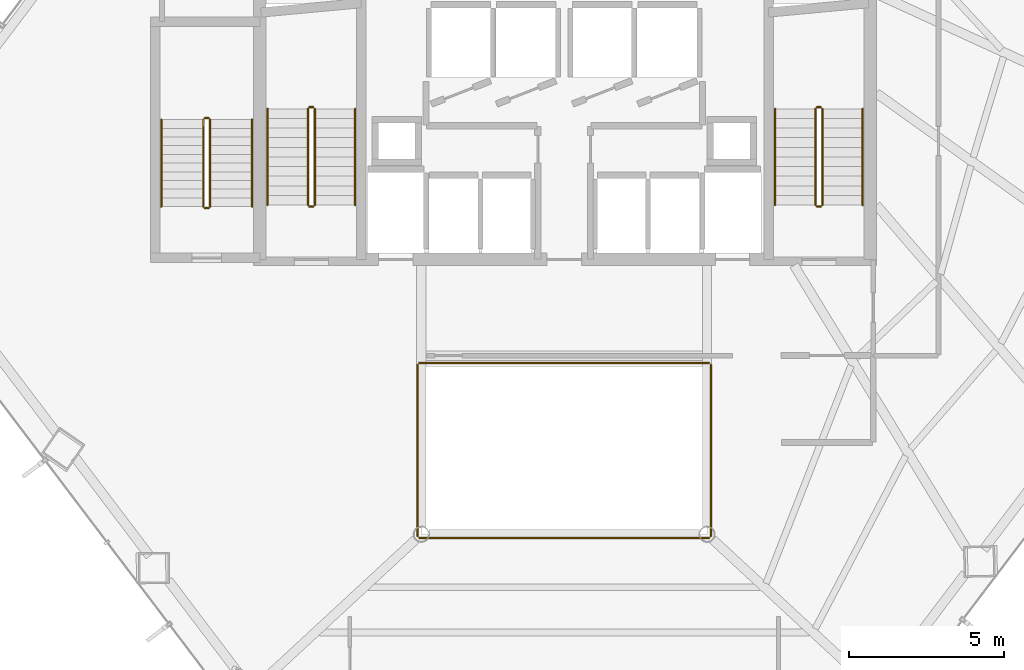
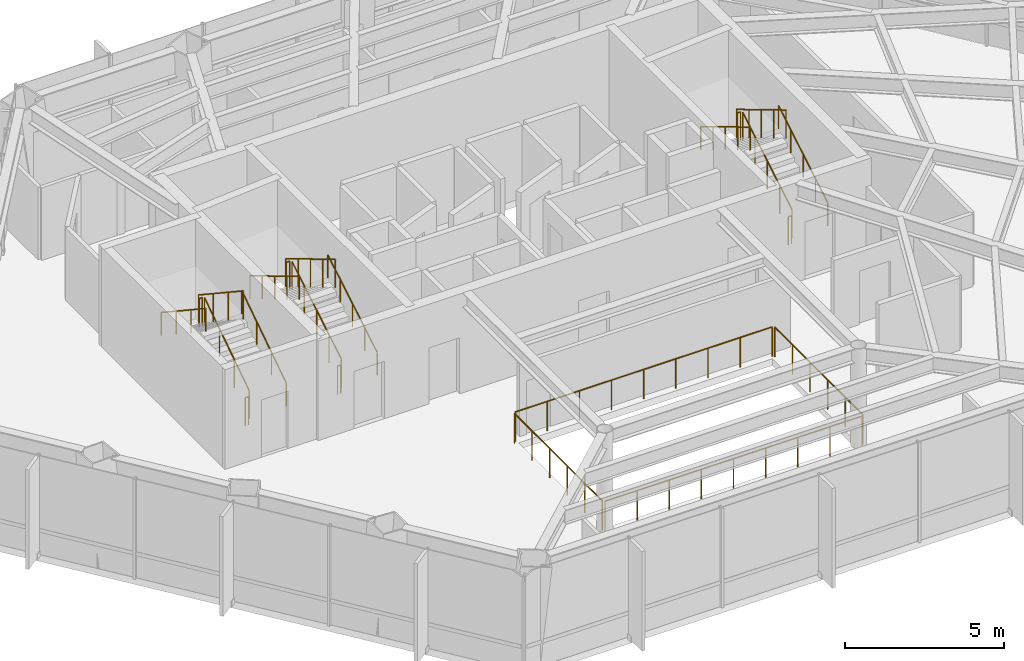
# One storey, part 26 of 26: 22 railings.
"""IFC4 building model written with IfcOpenShell, lengths in metres."""

import ifcopenshell
import ifcopenshell.guid

model = None  # the IFC model being written
_history = None  # IfcOwnerHistory: only IFC2X3 demands one
_inside = {}  # id of a spatial element -> (the spatial element, [elements in it])
_under = {}  # id of a project, library or spatial element -> (it, [spatial elements below it])
_declared = {}  # id of a project -> (the project, [libraries it declares])
_typed = {}  # id of a type object -> (the type object, [elements of that type])
_made_of = {}  # id of a material, layer set ... -> (it, [elements and type objects made of it])


def new_model(schema):
    """Start an empty IFC model of exactly this schema.

    Asked for "IFC4X3", IfcOpenShell would pick the latest addendum, in which some entities
    have other attributes; the version numbers below select the first issue.
    IFC2X3 requires an IfcOwnerHistory on every rooted entity: one is made here for all.
    """
    global model, _history
    if schema == "IFC4X3":
        model = ifcopenshell.file(schema_version=(4, 3, 0, 0))
    else:
        model = ifcopenshell.file(schema=schema)
    _inside.clear()
    _under.clear()
    _declared.clear()
    _typed.clear()
    _made_of.clear()
    _history = None
    if model.schema == "IFC2X3":
        org = make("IfcOrganization", Name="unknown")
        user = make(
            "IfcPersonAndOrganization",
            ThePerson=make("IfcPerson", FamilyName="unknown"),
            TheOrganization=org,
        )
        app = make(
            "IfcApplication",
            ApplicationDeveloper=org,
            Version="unknown",
            ApplicationFullName="unknown",
            ApplicationIdentifier="unknown",
        )
        _history = make(
            "IfcOwnerHistory",
            OwningUser=user,
            OwningApplication=app,
            ChangeAction="ADDED",
            CreationDate=0,
        )
    return model


def make(cls, **values):
    """One entity of the class cls with the attributes given. An attribute that is None is left unset."""
    return model.create_entity(
        cls, **{name: value for name, value in values.items() if value is not None}
    )


def rooted(cls, **values):
    """An entity with a GlobalId (a new one), such as an element, a storey or a relation."""
    return make(cls, GlobalId=ifcopenshell.guid.new(), OwnerHistory=_history, **values)


def si_unit(unit_type, name, prefix=None):
    """IfcSIUnit, for example si_unit("LENGTHUNIT", "METRE", prefix="MILLI")."""
    return make("IfcSIUnit", UnitType=unit_type, Prefix=prefix, Name=name)


def assignment(units):
    """IfcUnitAssignment: the units of a project."""
    return None if units is None else make("IfcUnitAssignment", Units=units)


def point(xyz):
    """IfcCartesianPoint."""
    return None if xyz is None else make("IfcCartesianPoint", Coordinates=xyz)


def direction(xyz):
    """IfcDirection."""
    return None if xyz is None else make("IfcDirection", DirectionRatios=xyz)


def frame(location, z_axis=None, x_axis=None):
    """IfcAxis2Placement3D, a coordinate frame: its origin and axes. An axis left out is left unset."""
    return make(
        "IfcAxis2Placement3D",
        Location=point(location),
        Axis=direction(z_axis),
        RefDirection=direction(x_axis),
    )


def frame_2d(location, x_axis=None):
    """IfcAxis2Placement2D, a coordinate frame in the plane: its origin and x axis."""
    return make(
        "IfcAxis2Placement2D", Location=point(location), RefDirection=direction(x_axis)
    )


def origin():
    """The frame at (0, 0, 0) with its axes left unset."""
    return frame((0.0, 0.0, 0.0))


def origin_2d():
    """The frame at (0, 0) in the plane with its x axis left unset."""
    return frame_2d((0.0, 0.0))


def place(relative_to, where):
    """IfcLocalPlacement: puts the frame where relative to a parent placement (None: the world)."""
    return make(
        "IfcLocalPlacement", PlacementRelTo=relative_to, RelativePlacement=where
    )


def context(
    kind, dimensions, precision=None, world=None, true_north=None, identifier=None
):
    """IfcGeometricRepresentationContext, for example the 3D "Model" context."""
    return make(
        "IfcGeometricRepresentationContext",
        ContextIdentifier=identifier,
        ContextType=kind,
        CoordinateSpaceDimension=dimensions,
        Precision=precision,
        WorldCoordinateSystem=world,
        TrueNorth=true_north,
    )


def subcontext(parent, identifier, kind, view, scale=None):
    """IfcGeometricRepresentationSubContext, for example "Body" below "Model"."""
    return make(
        "IfcGeometricRepresentationSubContext",
        ContextIdentifier=identifier,
        ContextType=kind,
        ParentContext=parent,
        TargetScale=scale,
        TargetView=view,
    )


def project(units=None, contexts=None):
    """IfcProject with its units and contexts."""
    return rooted(
        "IfcProject",
        Name="project",
        RepresentationContexts=contexts,
        UnitsInContext=assignment(units),
    )


def spatial(cls, under=None, at=None, **own):
    """A site, building, storey or space (cls), placed at a placement, below another one or the project."""
    s = rooted(cls, ObjectPlacement=at, **own)
    if under is not None:
        _under.setdefault(under.id(), (under, []))[1].append(s)
    return s


def profile(cls, at=None, kind="AREA", **sizes):
    """A parametric profile (cls). Its sizes go by their IFC names, for example OverallWidth=200.0."""
    return make(cls, ProfileType=kind, Position=at, **sizes)


def circle(**sizes):
    """IfcCircleProfileDef."""
    return profile("IfcCircleProfileDef", **sizes)


def extrude(swept, where, along, depth):
    """IfcExtrudedAreaSolid: the profile swept, set in the frame where, extruded along a direction by depth."""
    return make(
        "IfcExtrudedAreaSolid",
        SweptArea=swept,
        Position=where,
        ExtrudedDirection=direction(along),
        Depth=depth,
    )


def shape(context_of_items, identifier, shape_type, items):
    """IfcShapeRepresentation: the items that make up one representation, for example the "Body"."""
    return make(
        "IfcShapeRepresentation",
        ContextOfItems=context_of_items,
        RepresentationIdentifier=identifier,
        RepresentationType=shape_type,
        Items=items,
    )


def material(Name=None, Category=None):
    """IfcMaterial."""
    return make("IfcMaterial", Name=Name, Category=Category)


def made_of(thing, what):
    """Note that an element or type object is made of a material, layer set ...; save() writes the relation."""
    if what is not None:
        _made_of.setdefault(what.id(), (what, []))[1].append(thing)
    return thing


def type_object(cls, material=None, **own):
    """A type object (cls), such as IfcWallType, which elements share."""
    return made_of(rooted(cls, **own), material)


def element(
    cls,
    number,
    at=None,
    inside=None,
    cuts=None,
    type_object=None,
    material=None,
    context=None,
    identifier="Body",
    shape_type=None,
    held_by="IfcProductDefinitionShape",
    body=None,
    shapes=None,
    **own,
):
    """One element of the class cls, such as IfcWall. Its Tag is "e" and its number.

    at: its placement. inside: the storey or other place that contains it. cuts: it is an
    opening in that element (IfcRelVoidsElement). A single representation is given by context,
    identifier, shape_type and body (its items); several are given by shapes. held_by: the class
    of the entity that holds the representations. save() writes the other relations.
    """
    e = rooted(cls, Tag="e%d" % number, ObjectPlacement=at, **own)
    if body is not None:
        shapes = [shape(context, identifier, shape_type, body)]
    if shapes is not None:
        e.Representation = make(held_by, Representations=shapes)
    if inside is not None:
        _inside.setdefault(inside.id(), (inside, []))[1].append(e)
    if cuts is not None:
        rooted(
            "IfcRelVoidsElement", RelatingBuildingElement=cuts, RelatedOpeningElement=e
        )
    if type_object is not None:
        _typed.setdefault(type_object.id(), (type_object, []))[1].append(e)
    return made_of(e, material)


def aggregate(whole, parts):
    """IfcRelAggregates: a whole, such as a stair, and the parts it consists of."""
    return rooted("IfcRelAggregates", RelatingObject=whole, RelatedObjects=parts)


def save(model, path):
    """Write the relations noted so far, then the file.

    IfcRelAggregates (storeys below a building ...), IfcRelContainedInSpatialStructure (elements
    in a storey), IfcRelDefinesByType, IfcRelAssociatesMaterial and IfcRelDeclares: one each for
    every whole, place, type object, material and project.
    """
    for whole, parts in _under.values():
        aggregate(whole, parts)
    for where, things in _inside.values():
        rooted(
            "IfcRelContainedInSpatialStructure",
            RelatedElements=things,
            RelatingStructure=where,
        )
    for kind, things in _typed.values():
        rooted("IfcRelDefinesByType", RelatedObjects=things, RelatingType=kind)
    for what, things in _made_of.values():
        rooted("IfcRelAssociatesMaterial", RelatedObjects=things, RelatingMaterial=what)
    for by, libraries in _declared.values():
        rooted("IfcRelDeclares", RelatingContext=by, RelatedDefinitions=libraries)
    model.write(path)


model = new_model("IFC4")

# Units and contexts
model_context = context("Model", 3, precision=1e-05, world=origin(), true_north=direction((0.0, 1.0)))
body_context = subcontext(model_context, "Body", "Model", "MODEL_VIEW")
ifc_project = project(units=[si_unit("LENGTHUNIT", "METRE"), si_unit("AREAUNIT", "SQUARE_METRE"), si_unit("VOLUMEUNIT", "CUBIC_METRE"), si_unit("PLANEANGLEUNIT", "RADIAN"), si_unit("MASSUNIT", "GRAM", prefix="KILO")], contexts=[model_context])

# Site, building, storey
site_placement = place(None, origin())
site = spatial("IfcSite", under=ifc_project, at=site_placement, CompositionType="ELEMENT")
building_placement = place(site_placement, origin())
building = spatial("IfcBuilding", under=site, at=building_placement, Name="Zarrinselat Tower", CompositionType="ELEMENT")
storey_placement = place(building_placement, frame((0.0, 0.0, 60.179931640625)))
storey = spatial("IfcBuildingStorey", under=building, at=storey_placement, Name="L14", CompositionType="ELEMENT", Elevation=60.179931640625)

# Railings
ifc_material_1 = material(Name="Double Low-E Laminated Solar Glass", Category="glass")
railing_type_1 = type_object("IfcRailingType", Name="RLG-ATRIUM-BAL", PredefinedType="BALUSTRADE", material=ifc_material_1)
railing_1_placement = place(storey_placement, frame((33.739990234375, 24.280029296875, 0.0)))
element("IfcRailing", 1, at=railing_1_placement, inside=storey, type_object=railing_type_1, Name="L14 Atrium Void Glass Balustrade S", PredefinedType="BALUSTRADE", context=body_context, shape_type="SweptSolid", body=[
    extrude(circle(Radius=0.02392578125, at=origin_2d()), frame((0.0, 0.0, 1.1259765625), z_axis=(1.0, 0.0, 0.0), x_axis=(0.0, 1.0, 0.0)), (0.0, 0.0, 1.0), 9.320068359375),
    extrude(circle(Radius=0.02099609375, at=origin_2d()), origin(), (0.0, 0.0, 1.0), 1.099853515625),
    extrude(circle(Radius=0.02099609375, at=origin_2d()), frame((1.1650390625, 0.0, 0.0)), (0.0, 0.0, 1.0), 1.099853515625),
    extrude(circle(Radius=0.02099609375, at=origin_2d()), frame((2.330078125, 0.0, 0.0)), (0.0, 0.0, 1.0), 1.099853515625),
    extrude(circle(Radius=0.02099609375, at=origin_2d()), frame((3.4951171875, 0.0, 0.0)), (0.0, 0.0, 1.0), 1.099853515625),
    extrude(circle(Radius=0.02099609375, at=origin_2d()), frame((4.66015625, 0.0, 0.0)), (0.0, 0.0, 1.0), 1.099853515625),
    extrude(circle(Radius=0.02099609375, at=origin_2d()), frame((5.824951171875, 0.0, 0.0)), (0.0, 0.0, 1.0), 1.099853515625),
    extrude(circle(Radius=0.02099609375, at=origin_2d()), frame((6.989990234375, 0.0, 0.0)), (0.0, 0.0, 1.0), 1.099853515625),
    extrude(circle(Radius=0.02099609375, at=origin_2d()), frame((8.155029296875, 0.0, 0.0)), (0.0, 0.0, 1.0), 1.099853515625),
    extrude(circle(Radius=0.02099609375, at=origin_2d()), frame((9.320068359375, 0.0, 0.0)), (0.0, 0.0, 1.0), 1.099853515625),
])
railing_2_placement = place(storey_placement, frame((43.1201171875, 24.340087890625, 0.0)))
element("IfcRailing", 2, at=railing_2_placement, inside=storey, type_object=railing_type_1, Name="L14 Atrium Void Glass Balustrade E", PredefinedType="BALUSTRADE", context=body_context, shape_type="SweptSolid", body=[
    extrude(circle(Radius=0.02392578125, at=origin_2d()), frame((0.0, 0.0, 1.1259765625), z_axis=(0.0, 1.0, 0.0), x_axis=(-1.0, 0.0, 0.0)), (0.0, 0.0, 1.0), 5.52001953125),
    extrude(circle(Radius=0.02099609375, at=origin_2d()), origin(), (0.0, 0.0, 1.0), 1.099853515625),
    extrude(circle(Radius=0.02099609375, at=origin_2d()), frame((0.0, 1.10400390625, 0.0)), (0.0, 0.0, 1.0), 1.099853515625),
    extrude(circle(Radius=0.02099609375, at=origin_2d()), frame((0.0, 2.2080078125, 0.0)), (0.0, 0.0, 1.0), 1.099853515625),
    extrude(circle(Radius=0.02099609375, at=origin_2d()), frame((0.0, 3.31201171875, 0.0)), (0.0, 0.0, 1.0), 1.099853515625),
    extrude(circle(Radius=0.02099609375, at=origin_2d()), frame((0.0, 4.416015625, 0.0)), (0.0, 0.0, 1.0), 1.099853515625),
    extrude(circle(Radius=0.02099609375, at=origin_2d()), frame((0.0, 5.52001953125, 0.0)), (0.0, 0.0, 1.0), 1.099853515625),
])
railing_3_placement = place(storey_placement, frame((43.06005859375, 29.919921875, 0.0)))
element("IfcRailing", 3, at=railing_3_placement, inside=storey, type_object=railing_type_1, Name="L14 Atrium Void Glass Balustrade N", PredefinedType="BALUSTRADE", context=body_context, shape_type="SweptSolid", body=[
    extrude(circle(Radius=0.02392578125, at=origin_2d()), frame((0.0, 0.0, 1.1259765625), z_axis=(-1.0, 0.0, 0.0), x_axis=(0.0, -1.0, 0.0)), (0.0, 0.0, 1.0), 9.320068359375),
    extrude(circle(Radius=0.02099609375, at=origin_2d()), origin(), (0.0, 0.0, 1.0), 1.099853515625),
    extrude(circle(Radius=0.02099609375, at=origin_2d()), frame((-1.1650390625, 0.0, 0.0)), (0.0, 0.0, 1.0), 1.099853515625),
    extrude(circle(Radius=0.02099609375, at=origin_2d()), frame((-2.330078125, 0.0, 0.0)), (0.0, 0.0, 1.0), 1.099853515625),
    extrude(circle(Radius=0.02099609375, at=origin_2d()), frame((-3.4951171875, 0.0, 0.0)), (0.0, 0.0, 1.0), 1.099853515625),
    extrude(circle(Radius=0.02099609375, at=origin_2d()), frame((-4.66015625, 0.0, 0.0)), (0.0, 0.0, 1.0), 1.099853515625),
    extrude(circle(Radius=0.02099609375, at=origin_2d()), frame((-5.824951171875, 0.0, 0.0)), (0.0, 0.0, 1.0), 1.099853515625),
    extrude(circle(Radius=0.02099609375, at=origin_2d()), frame((-6.989990234375, 0.0, 0.0)), (0.0, 0.0, 1.0), 1.099853515625),
    extrude(circle(Radius=0.02099609375, at=origin_2d()), frame((-8.155029296875, 0.0, 0.0)), (0.0, 0.0, 1.0), 1.099853515625),
    extrude(circle(Radius=0.02099609375, at=origin_2d()), frame((-9.320068359375, 0.0, 0.0)), (0.0, 0.0, 1.0), 1.099853515625),
])
railing_4_placement = place(storey_placement, frame((33.679931640625, 29.860107421875, 0.0)))
element("IfcRailing", 4, at=railing_4_placement, inside=storey, type_object=railing_type_1, Name="L14 Atrium Void Glass Balustrade W", PredefinedType="BALUSTRADE", context=body_context, shape_type="SweptSolid", body=[
    extrude(circle(Radius=0.02392578125, at=origin_2d()), frame((0.0, 0.0, 1.1259765625), z_axis=(0.0, -1.0, 0.0), x_axis=(1.0, 0.0, 0.0)), (0.0, 0.0, 1.0), 5.52001953125),
    extrude(circle(Radius=0.02099609375, at=origin_2d()), origin(), (0.0, 0.0, 1.0), 1.099853515625),
    extrude(circle(Radius=0.02099609375, at=origin_2d()), frame((0.0, -1.10400390625, 0.0)), (0.0, 0.0, 1.0), 1.099853515625),
    extrude(circle(Radius=0.02099609375, at=origin_2d()), frame((0.0, -2.2080078125, 0.0)), (0.0, 0.0, 1.0), 1.099853515625),
    extrude(circle(Radius=0.02099609375, at=origin_2d()), frame((0.0, -3.31201171875, 0.0)), (0.0, 0.0, 1.0), 1.099853515625),
    extrude(circle(Radius=0.02099609375, at=origin_2d()), frame((0.0, -4.416015625, 0.0)), (0.0, 0.0, 1.0), 1.099853515625),
    extrude(circle(Radius=0.02099609375, at=origin_2d()), frame((0.0, -5.52001953125, 0.0)), (0.0, 0.0, 1.0), 1.099853515625),
])
ifc_material_2 = material(Name="Steel S355J2", Category="steel")
railing_type_2 = type_object("IfcRailingType", Name="RLG-STAIR-GUARD", PredefinedType="GUARDRAIL", material=ifc_material_2)
railing_5_placement = place(storey_placement, frame((30.3701171875, 35.0, 0.185546875)))
element("IfcRailing", 5, at=railing_5_placement, inside=storey, type_object=railing_type_2, Name="L14 ST-1 stair guard 1", PredefinedType="GUARDRAIL", context=body_context, shape_type="SweptSolid", body=[
    extrude(circle(Radius=0.02392578125, at=origin_2d()), frame((0.0, 0.0, 1.076171875), z_axis=(0.0, 0.858171985069, 0.513362293163), x_axis=(-1.0, 0.0, 0.0)), (0.0, 0.0, 1.0), 3.612548828125),
    extrude(circle(Radius=0.02099609375, at=origin_2d()), origin(), (0.0, 0.0, 1.0), 1.050048828125),
    extrude(circle(Radius=0.02099609375, at=origin_2d()), frame((0.0, 0.77490234375, 0.463623046875)), (0.0, 0.0, 1.0), 1.050048828125),
    extrude(circle(Radius=0.02099609375, at=origin_2d()), frame((0.0, 1.550048828125, 0.92724609375)), (0.0, 0.0, 1.0), 1.050048828125),
    extrude(circle(Radius=0.02099609375, at=origin_2d()), frame((0.0, 2.3251953125, 1.390869140625)), (0.0, 0.0, 1.0), 1.050048828125),
    extrude(circle(Radius=0.02099609375, at=origin_2d()), frame((0.0, 3.10009765625, 1.8544921875)), (0.0, 0.0, 1.0), 1.050048828125),
])
railing_6_placement = place(storey_placement, frame((30.320068359375, 38.14990234375, 2.0400390625)))
element("IfcRailing", 6, at=railing_6_placement, inside=storey, type_object=railing_type_2, Name="L14 ST-1 stair guard 2", PredefinedType="GUARDRAIL", context=body_context, shape_type="SweptSolid", body=[
    extrude(circle(Radius=0.02392578125, at=origin_2d()), frame((0.0, 0.0, 1.076171875), z_axis=(-1.0, 0.0, 0.0), x_axis=(0.0, -1.0, 0.0)), (0.0, 0.0, 1.0), 0.1201171875),
    extrude(circle(Radius=0.02099609375, at=origin_2d()), origin(), (0.0, 0.0, 1.0), 1.050048828125),
    extrude(circle(Radius=0.02099609375, at=origin_2d()), frame((-0.1201171875, 0.0, 0.0)), (0.0, 0.0, 1.0), 1.050048828125),
])
railing_7_placement = place(storey_placement, frame((30.14990234375, 38.10009765625, 2.2255859375)))
element("IfcRailing", 7, at=railing_7_placement, inside=storey, type_object=railing_type_2, Name="L14 ST-1 stair guard 3", PredefinedType="GUARDRAIL", context=body_context, shape_type="SweptSolid", body=[
    extrude(circle(Radius=0.02392578125, at=origin_2d()), frame((0.0, 0.0, 1.076171875), z_axis=(0.0, -0.858171985069, 0.513362293163), x_axis=(1.0, 0.0, 0.0)), (0.0, 0.0, 1.0), 3.612548828125),
    extrude(circle(Radius=0.02099609375, at=origin_2d()), origin(), (0.0, 0.0, 1.0), 1.050048828125),
    extrude(circle(Radius=0.02099609375, at=origin_2d()), frame((0.0, -0.77490234375, 0.463623046875)), (0.0, 0.0, 1.0), 1.050048828125),
    extrude(circle(Radius=0.02099609375, at=origin_2d()), frame((0.0, -1.550048828125, 0.92724609375)), (0.0, 0.0, 1.0), 1.050048828125),
    extrude(circle(Radius=0.02099609375, at=origin_2d()), frame((0.0, -2.3251953125, 1.390869140625)), (0.0, 0.0, 1.0), 1.050048828125),
    extrude(circle(Radius=0.02099609375, at=origin_2d()), frame((0.0, -3.10009765625, 1.8544921875)), (0.0, 0.0, 1.0), 1.050048828125),
])
railing_8_placement = place(storey_placement, frame((30.320068359375, 34.949951171875, 0.0)))
element("IfcRailing", 8, at=railing_8_placement, inside=storey, type_object=railing_type_2, Name="L14 ST-1 stair guard 4", PredefinedType="GUARDRAIL", context=body_context, shape_type="SweptSolid", body=[
    extrude(circle(Radius=0.02392578125, at=origin_2d()), frame((0.0, 0.0, 1.076171875), z_axis=(-1.0, 0.0, 0.0), x_axis=(0.0, -1.0, 0.0)), (0.0, 0.0, 1.0), 0.1201171875),
    extrude(circle(Radius=0.02099609375, at=origin_2d()), origin(), (0.0, 0.0, 1.0), 1.050048828125),
    extrude(circle(Radius=0.02099609375, at=origin_2d()), frame((-0.1201171875, 0.0, 0.0)), (0.0, 0.0, 1.0), 1.050048828125),
])
railing_9_placement = place(storey_placement, frame((46.7099609375, 35.0, 0.185546875)))
element("IfcRailing", 9, at=railing_9_placement, inside=storey, type_object=railing_type_2, Name="L14 ST-2 stair guard 1", PredefinedType="GUARDRAIL", context=body_context, shape_type="SweptSolid", body=[
    extrude(circle(Radius=0.02392578125, at=origin_2d()), frame((0.0, 0.0, 1.076171875), z_axis=(0.0, 0.858171985069, 0.513362293163), x_axis=(-1.0, 0.0, 0.0)), (0.0, 0.0, 1.0), 3.612548828125),
    extrude(circle(Radius=0.02099609375, at=origin_2d()), origin(), (0.0, 0.0, 1.0), 1.050048828125),
    extrude(circle(Radius=0.02099609375, at=origin_2d()), frame((0.0, 0.77490234375, 0.463623046875)), (0.0, 0.0, 1.0), 1.050048828125),
    extrude(circle(Radius=0.02099609375, at=origin_2d()), frame((0.0, 1.550048828125, 0.92724609375)), (0.0, 0.0, 1.0), 1.050048828125),
    extrude(circle(Radius=0.02099609375, at=origin_2d()), frame((0.0, 2.3251953125, 1.390869140625)), (0.0, 0.0, 1.0), 1.050048828125),
    extrude(circle(Radius=0.02099609375, at=origin_2d()), frame((0.0, 3.10009765625, 1.8544921875)), (0.0, 0.0, 1.0), 1.050048828125),
])
railing_10_placement = place(storey_placement, frame((46.659912109375, 38.14990234375, 2.0400390625)))
element("IfcRailing", 10, at=railing_10_placement, inside=storey, type_object=railing_type_2, Name="L14 ST-2 stair guard 2", PredefinedType="GUARDRAIL", context=body_context, shape_type="SweptSolid", body=[
    extrude(circle(Radius=0.02392578125, at=origin_2d()), frame((0.0, 0.0, 1.076171875), z_axis=(-1.0, 0.0, 0.0), x_axis=(0.0, -1.0, 0.0)), (0.0, 0.0, 1.0), 0.119873046875),
    extrude(circle(Radius=0.02099609375, at=origin_2d()), origin(), (0.0, 0.0, 1.0), 1.050048828125),
    extrude(circle(Radius=0.02099609375, at=origin_2d()), frame((-0.119873046875, 0.0, 0.0)), (0.0, 0.0, 1.0), 1.050048828125),
])
railing_11_placement = place(storey_placement, frame((46.489990234375, 38.10009765625, 2.2255859375)))
element("IfcRailing", 11, at=railing_11_placement, inside=storey, type_object=railing_type_2, Name="L14 ST-2 stair guard 3", PredefinedType="GUARDRAIL", context=body_context, shape_type="SweptSolid", body=[
    extrude(circle(Radius=0.02392578125, at=origin_2d()), frame((0.0, 0.0, 1.076171875), z_axis=(0.0, -0.858171985069, 0.513362293163), x_axis=(1.0, 0.0, 0.0)), (0.0, 0.0, 1.0), 3.612548828125),
    extrude(circle(Radius=0.02099609375, at=origin_2d()), origin(), (0.0, 0.0, 1.0), 1.050048828125),
    extrude(circle(Radius=0.02099609375, at=origin_2d()), frame((0.0, -0.77490234375, 0.463623046875)), (0.0, 0.0, 1.0), 1.050048828125),
    extrude(circle(Radius=0.02099609375, at=origin_2d()), frame((0.0, -1.550048828125, 0.92724609375)), (0.0, 0.0, 1.0), 1.050048828125),
    extrude(circle(Radius=0.02099609375, at=origin_2d()), frame((0.0, -2.3251953125, 1.390869140625)), (0.0, 0.0, 1.0), 1.050048828125),
    extrude(circle(Radius=0.02099609375, at=origin_2d()), frame((0.0, -3.10009765625, 1.8544921875)), (0.0, 0.0, 1.0), 1.050048828125),
])
railing_12_placement = place(storey_placement, frame((46.659912109375, 34.949951171875, 0.0)))
element("IfcRailing", 12, at=railing_12_placement, inside=storey, type_object=railing_type_2, Name="L14 ST-2 stair guard 4", PredefinedType="GUARDRAIL", context=body_context, shape_type="SweptSolid", body=[
    extrude(circle(Radius=0.02392578125, at=origin_2d()), frame((0.0, 0.0, 1.076171875), z_axis=(-1.0, 0.0, 0.0), x_axis=(0.0, -1.0, 0.0)), (0.0, 0.0, 1.0), 0.119873046875),
    extrude(circle(Radius=0.02099609375, at=origin_2d()), origin(), (0.0, 0.0, 1.0), 1.050048828125),
    extrude(circle(Radius=0.02099609375, at=origin_2d()), frame((-0.119873046875, 0.0, 0.0)), (0.0, 0.0, 1.0), 1.050048828125),
])
railing_13_placement = place(storey_placement, frame((27.0, 34.949951171875, 0.185546875)))
element("IfcRailing", 13, at=railing_13_placement, inside=storey, type_object=railing_type_2, Name="L14 ST-3 stair guard 1", PredefinedType="GUARDRAIL", context=body_context, shape_type="SweptSolid", body=[
    extrude(circle(Radius=0.02392578125, at=origin_2d()), frame((0.0, 0.0, 1.076171875), z_axis=(0.0, 0.833724036255, 0.552181339209), x_axis=(-1.0, 0.0, 0.0)), (0.0, 0.0, 1.0), 3.3583984375),
    extrude(circle(Radius=0.02099609375, at=origin_2d()), origin(), (0.0, 0.0, 1.0), 1.050048828125),
    extrude(circle(Radius=0.02099609375, at=origin_2d()), frame((0.0, 0.933349609375, 0.6181640625)), (0.0, 0.0, 1.0), 1.050048828125),
    extrude(circle(Radius=0.02099609375, at=origin_2d()), frame((0.0, 1.86669921875, 1.236328125)), (0.0, 0.0, 1.0), 1.050048828125),
    extrude(circle(Radius=0.02099609375, at=origin_2d()), frame((0.0, 2.800048828125, 1.8544921875)), (0.0, 0.0, 1.0), 1.050048828125),
])
railing_14_placement = place(storey_placement, frame((26.949951171875, 37.800048828125, 2.0400390625)))
element("IfcRailing", 14, at=railing_14_placement, inside=storey, type_object=railing_type_2, Name="L14 ST-3 stair guard 2", PredefinedType="GUARDRAIL", context=body_context, shape_type="SweptSolid", body=[
    extrude(circle(Radius=0.02392578125, at=origin_2d()), frame((0.0, 0.0, 1.076171875), z_axis=(-1.0, 0.0, 0.0), x_axis=(0.0, -1.0, 0.0)), (0.0, 0.0, 1.0), 0.119873046875),
    extrude(circle(Radius=0.02099609375, at=origin_2d()), origin(), (0.0, 0.0, 1.0), 1.050048828125),
    extrude(circle(Radius=0.02099609375, at=origin_2d()), frame((-0.119873046875, 0.0, 0.0)), (0.0, 0.0, 1.0), 1.050048828125),
])
railing_15_placement = place(storey_placement, frame((26.780029296875, 37.75, 2.2255859375)))
element("IfcRailing", 15, at=railing_15_placement, inside=storey, type_object=railing_type_2, Name="L14 ST-3 stair guard 3", PredefinedType="GUARDRAIL", context=body_context, shape_type="SweptSolid", body=[
    extrude(circle(Radius=0.02392578125, at=origin_2d()), frame((0.0, 0.0, 1.076171875), z_axis=(0.0, -0.833724036255, 0.552181339209), x_axis=(1.0, 0.0, 0.0)), (0.0, 0.0, 1.0), 3.3583984375),
    extrude(circle(Radius=0.02099609375, at=origin_2d()), origin(), (0.0, 0.0, 1.0), 1.050048828125),
    extrude(circle(Radius=0.02099609375, at=origin_2d()), frame((0.0, -0.933349609375, 0.6181640625)), (0.0, 0.0, 1.0), 1.050048828125),
    extrude(circle(Radius=0.02099609375, at=origin_2d()), frame((0.0, -1.86669921875, 1.236328125)), (0.0, 0.0, 1.0), 1.050048828125),
    extrude(circle(Radius=0.02099609375, at=origin_2d()), frame((0.0, -2.800048828125, 1.8544921875)), (0.0, 0.0, 1.0), 1.050048828125),
])
railing_16_placement = place(storey_placement, frame((26.949951171875, 34.89990234375, 0.0)))
element("IfcRailing", 16, at=railing_16_placement, inside=storey, type_object=railing_type_2, Name="L14 ST-3 stair guard 4", PredefinedType="GUARDRAIL", context=body_context, shape_type="SweptSolid", body=[
    extrude(circle(Radius=0.02392578125, at=origin_2d()), frame((0.0, 0.0, 1.076171875), z_axis=(-1.0, 0.0, 0.0), x_axis=(0.0, -1.0, 0.0)), (0.0, 0.0, 1.0), 0.119873046875),
    extrude(circle(Radius=0.02099609375, at=origin_2d()), origin(), (0.0, 0.0, 1.0), 1.050048828125),
    extrude(circle(Radius=0.02099609375, at=origin_2d()), frame((-0.119873046875, 0.0, 0.0)), (0.0, 0.0, 1.0), 1.050048828125),
])
ifc_material_3 = material(Name="Steel S355J2", Category="steel")
railing_type_3 = type_object("IfcRailingType", Name="RLG-STAIR-HAND", PredefinedType="HANDRAIL", material=ifc_material_3)
railing_17_placement = place(storey_placement, frame((31.669921875, 35.0, 0.185546875)))
element("IfcRailing", 17, at=railing_17_placement, inside=storey, type_object=railing_type_3, Name="L14 ST-1 stair handrail 1", PredefinedType="HANDRAIL", context=body_context, shape_type="SweptSolid", body=[
    extrude(circle(Radius=0.02392578125, at=origin_2d()), frame((0.0, 0.0, 0.8759765625), z_axis=(0.0, 0.858171985069, 0.513362293163), x_axis=(-1.0, 0.0, 0.0)), (0.0, 0.0, 1.0), 3.612548828125),
    extrude(circle(Radius=0.02099609375, at=origin_2d()), origin(), (0.0, 0.0, 1.0), 0.849853515625),
    extrude(circle(Radius=0.02099609375, at=origin_2d()), frame((0.0, 0.77490234375, 0.463623046875)), (0.0, 0.0, 1.0), 0.849853515625),
    extrude(circle(Radius=0.02099609375, at=origin_2d()), frame((0.0, 1.550048828125, 0.92724609375)), (0.0, 0.0, 1.0), 0.849853515625),
    extrude(circle(Radius=0.02099609375, at=origin_2d()), frame((0.0, 2.3251953125, 1.390869140625)), (0.0, 0.0, 1.0), 0.849853515625),
    extrude(circle(Radius=0.02099609375, at=origin_2d()), frame((0.0, 3.10009765625, 1.8544921875)), (0.0, 0.0, 1.0), 0.849853515625),
])
railing_18_placement = place(storey_placement, frame((28.85009765625, 38.10009765625, 2.2255859375)))
element("IfcRailing", 18, at=railing_18_placement, inside=storey, type_object=railing_type_3, Name="L14 ST-1 stair handrail 2", PredefinedType="HANDRAIL", context=body_context, shape_type="SweptSolid", body=[
    extrude(circle(Radius=0.02392578125, at=origin_2d()), frame((0.0, 0.0, 0.8759765625), z_axis=(0.0, -0.858171985069, 0.513362293163), x_axis=(1.0, 0.0, 0.0)), (0.0, 0.0, 1.0), 3.612548828125),
    extrude(circle(Radius=0.02099609375, at=origin_2d()), origin(), (0.0, 0.0, 1.0), 0.849853515625),
    extrude(circle(Radius=0.02099609375, at=origin_2d()), frame((0.0, -0.77490234375, 0.463623046875)), (0.0, 0.0, 1.0), 0.849853515625),
    extrude(circle(Radius=0.02099609375, at=origin_2d()), frame((0.0, -1.550048828125, 0.92724609375)), (0.0, 0.0, 1.0), 0.849853515625),
    extrude(circle(Radius=0.02099609375, at=origin_2d()), frame((0.0, -2.3251953125, 1.390869140625)), (0.0, 0.0, 1.0), 0.849853515625),
    extrude(circle(Radius=0.02099609375, at=origin_2d()), frame((0.0, -3.10009765625, 1.8544921875)), (0.0, 0.0, 1.0), 0.849853515625),
])
railing_19_placement = place(storey_placement, frame((48.010009765625, 35.0, 0.185546875)))
element("IfcRailing", 19, at=railing_19_placement, inside=storey, type_object=railing_type_3, Name="L14 ST-2 stair handrail 1", PredefinedType="HANDRAIL", context=body_context, shape_type="SweptSolid", body=[
    extrude(circle(Radius=0.02392578125, at=origin_2d()), frame((0.0, 0.0, 0.8759765625), z_axis=(0.0, 0.858171985069, 0.513362293163), x_axis=(-1.0, 0.0, 0.0)), (0.0, 0.0, 1.0), 3.612548828125),
    extrude(circle(Radius=0.02099609375, at=origin_2d()), origin(), (0.0, 0.0, 1.0), 0.849853515625),
    extrude(circle(Radius=0.02099609375, at=origin_2d()), frame((0.0, 0.77490234375, 0.463623046875)), (0.0, 0.0, 1.0), 0.849853515625),
    extrude(circle(Radius=0.02099609375, at=origin_2d()), frame((0.0, 1.550048828125, 0.92724609375)), (0.0, 0.0, 1.0), 0.849853515625),
    extrude(circle(Radius=0.02099609375, at=origin_2d()), frame((0.0, 2.3251953125, 1.390869140625)), (0.0, 0.0, 1.0), 0.849853515625),
    extrude(circle(Radius=0.02099609375, at=origin_2d()), frame((0.0, 3.10009765625, 1.8544921875)), (0.0, 0.0, 1.0), 0.849853515625),
])
railing_20_placement = place(storey_placement, frame((45.18994140625, 38.10009765625, 2.2255859375)))
element("IfcRailing", 20, at=railing_20_placement, inside=storey, type_object=railing_type_3, Name="L14 ST-2 stair handrail 2", PredefinedType="HANDRAIL", context=body_context, shape_type="SweptSolid", body=[
    extrude(circle(Radius=0.02392578125, at=origin_2d()), frame((0.0, 0.0, 0.8759765625), z_axis=(0.0, -0.858171985069, 0.513362293163), x_axis=(1.0, 0.0, 0.0)), (0.0, 0.0, 1.0), 3.612548828125),
    extrude(circle(Radius=0.02099609375, at=origin_2d()), origin(), (0.0, 0.0, 1.0), 0.849853515625),
    extrude(circle(Radius=0.02099609375, at=origin_2d()), frame((0.0, -0.77490234375, 0.463623046875)), (0.0, 0.0, 1.0), 0.849853515625),
    extrude(circle(Radius=0.02099609375, at=origin_2d()), frame((0.0, -1.550048828125, 0.92724609375)), (0.0, 0.0, 1.0), 0.849853515625),
    extrude(circle(Radius=0.02099609375, at=origin_2d()), frame((0.0, -2.3251953125, 1.390869140625)), (0.0, 0.0, 1.0), 0.849853515625),
    extrude(circle(Radius=0.02099609375, at=origin_2d()), frame((0.0, -3.10009765625, 1.8544921875)), (0.0, 0.0, 1.0), 0.849853515625),
])
railing_21_placement = place(storey_placement, frame((28.35009765625, 34.949951171875, 0.185546875)))
element("IfcRailing", 21, at=railing_21_placement, inside=storey, type_object=railing_type_3, Name="L14 ST-3 stair handrail 1", PredefinedType="HANDRAIL", context=body_context, shape_type="SweptSolid", body=[
    extrude(circle(Radius=0.02392578125, at=origin_2d()), frame((0.0, 0.0, 0.8759765625), z_axis=(0.0, 0.833724036255, 0.552181339209), x_axis=(-1.0, 0.0, 0.0)), (0.0, 0.0, 1.0), 3.3583984375),
    extrude(circle(Radius=0.02099609375, at=origin_2d()), origin(), (0.0, 0.0, 1.0), 0.849853515625),
    extrude(circle(Radius=0.02099609375, at=origin_2d()), frame((0.0, 0.933349609375, 0.6181640625)), (0.0, 0.0, 1.0), 0.849853515625),
    extrude(circle(Radius=0.02099609375, at=origin_2d()), frame((0.0, 1.86669921875, 1.236328125)), (0.0, 0.0, 1.0), 0.849853515625),
    extrude(circle(Radius=0.02099609375, at=origin_2d()), frame((0.0, 2.800048828125, 1.8544921875)), (0.0, 0.0, 1.0), 0.849853515625),
])
railing_22_placement = place(storey_placement, frame((25.429931640625, 37.75, 2.2255859375)))
element("IfcRailing", 22, at=railing_22_placement, inside=storey, type_object=railing_type_3, Name="L14 ST-3 stair handrail 2", PredefinedType="HANDRAIL", context=body_context, shape_type="SweptSolid", body=[
    extrude(circle(Radius=0.02392578125, at=origin_2d()), frame((0.0, 0.0, 0.8759765625), z_axis=(0.0, -0.833724036255, 0.552181339209), x_axis=(1.0, 0.0, 0.0)), (0.0, 0.0, 1.0), 3.3583984375),
    extrude(circle(Radius=0.02099609375, at=origin_2d()), origin(), (0.0, 0.0, 1.0), 0.849853515625),
    extrude(circle(Radius=0.02099609375, at=origin_2d()), frame((0.0, -0.933349609375, 0.6181640625)), (0.0, 0.0, 1.0), 0.849853515625),
    extrude(circle(Radius=0.02099609375, at=origin_2d()), frame((0.0, -1.86669921875, 1.236328125)), (0.0, 0.0, 1.0), 0.849853515625),
    extrude(circle(Radius=0.02099609375, at=origin_2d()), frame((0.0, -2.800048828125, 1.8544921875)), (0.0, 0.0, 1.0), 0.849853515625),
])

save(model, "model.ifc")
